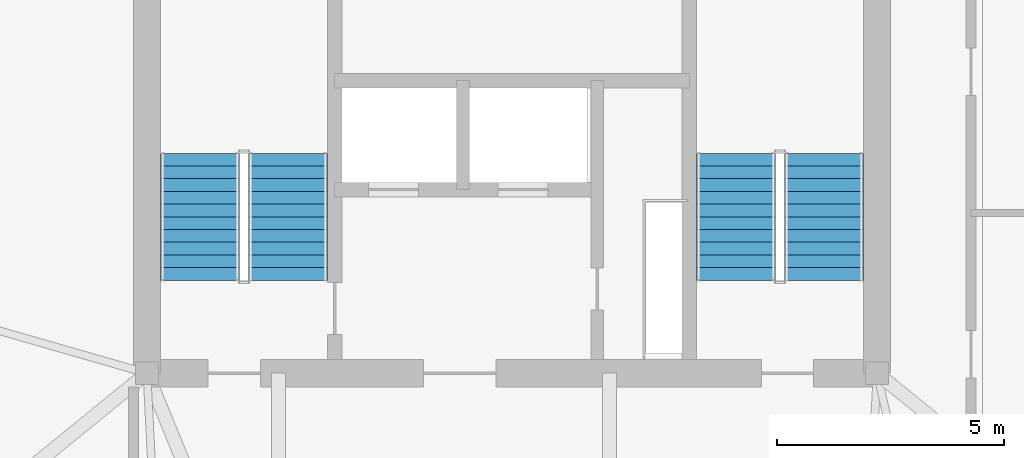
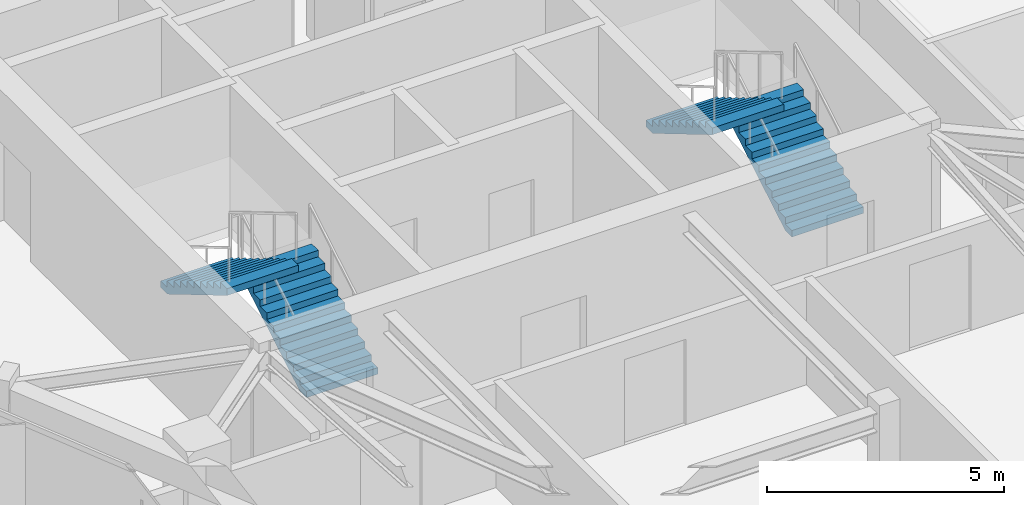
# One storey, part 8 of 9: 4 stair flights, 2 elements without a shape of their own.
"""IFC4 building model written with IfcOpenShell, lengths in metres."""

from ifc_helpers import new_model, si_unit, direction, frame, origin, place, context, subcontext, project, spatial, polyline, outline, extrude, material, type_object, element, aggregate, save


model = new_model("IFC4")

# Units and contexts
model_context = context("Model", 3, precision=1e-05, world=origin(), true_north=direction((0.0, 1.0)))
body_context = subcontext(model_context, "Body", "Model", "MODEL_VIEW")
ifc_project = project(units=[si_unit("LENGTHUNIT", "METRE"), si_unit("AREAUNIT", "SQUARE_METRE"), si_unit("VOLUMEUNIT", "CUBIC_METRE"), si_unit("PLANEANGLEUNIT", "RADIAN"), si_unit("MASSUNIT", "GRAM", prefix="KILO")], contexts=[model_context])

# Site, building, storey
site_placement = place(None, origin())
site = spatial("IfcSite", under=ifc_project, at=site_placement, CompositionType="ELEMENT")
building_placement = place(site_placement, origin())
building = spatial("IfcBuilding", under=site, at=building_placement, Name="Talyreon Biosciences Tower", CompositionType="ELEMENT")
storey_placement = place(building_placement, frame((0.0, 0.0, 302.050048828125)))
storey = spatial("IfcBuildingStorey", under=building, at=storey_placement, Name="L80", CompositionType="ELEMENT", Elevation=302.050048828125)

# Stair, stair flights
ifc_material = material(Name="Concrete C40/50", Category="concrete")
stair_type = type_object("IfcStairType", Name="DoglegEscapeStair_3650", PredefinedType="HALF_TURN_STAIR", material=ifc_material)
stair_1_placement = place(storey_placement, origin())
stair_1 = element("IfcStair", 1, at=stair_1_placement, inside=storey, type_object=stair_type, Name="L80 Core Escape Stair 1", PredefinedType="HALF_TURN_STAIR")
stair_flight_type = type_object("IfcStairFlightType", Name="PrecastStairFlight_3650", PredefinedType="STRAIGHT", material=ifc_material)
stair_flight_1_placement = place(storey_placement, frame((61.06005859375, 63.39990234375, 0.0), z_axis=(0.0, 0.0, 1.0), x_axis=(0.0, 1.0, 0.0)))
stair_flight_1 = element("IfcStairFlight", 2, at=stair_flight_1_placement, type_object=stair_flight_type, Name="ST-1 flight 1", NumberOfRisers=11, NumberOfTreads=10, PredefinedType="STRAIGHT", RiserHeight=0.165909091, TreadLength=0.28, context=body_context, shape_type="SweptSolid", body=[
    extrude(outline(polyline([(0.0, 0.0), (0.0, 0.166015625), (0.280029296875, 0.166015625), (0.280029296875, 0.331787109375), (0.56005859375, 0.331787109375), (0.56005859375, 0.497802734375), (0.840087890625, 0.497802734375), (0.840087890625, 0.66357421875), (1.1201171875, 0.66357421875), (1.1201171875, 0.82958984375), (1.39990234375, 0.82958984375), (1.39990234375, 0.995361328125), (1.679931640625, 0.995361328125), (1.679931640625, 1.161376953125), (1.9599609375, 1.161376953125), (1.9599609375, 1.327392578125), (2.239990234375, 1.327392578125), (2.239990234375, 1.4931640625), (2.52001953125, 1.4931640625), (2.52001953125, 1.6591796875), (2.800048828125, 1.6591796875), (2.800048828125, 1.824951171875), (2.800048828125, 1.48486328125), (0.2939453125, 0.0), (0.0, 0.0)])), frame((0.0, 0.8701171875, 0.0), z_axis=(0.0, -1.0, 0.0), x_axis=(1.0, 0.0, 0.0)), (0.0, 0.0, 1.0), 1.739990234375),
])
stair_flight_2_placement = place(storey_placement, frame((59.1201171875, 66.199951171875, 1.824951171875), z_axis=(0.0, 0.0, 1.0), x_axis=(0.0, -1.0, 0.0)))
stair_flight_2 = element("IfcStairFlight", 3, at=stair_flight_2_placement, type_object=stair_flight_type, Name="ST-1 flight 2", NumberOfRisers=11, NumberOfTreads=10, PredefinedType="STRAIGHT", RiserHeight=0.165909091, TreadLength=0.28, context=body_context, shape_type="SweptSolid", body=[
    extrude(outline(polyline([(0.0, 0.0), (0.0, 0.166015625), (0.280029296875, 0.166015625), (0.280029296875, 0.331787109375), (0.56005859375, 0.331787109375), (0.56005859375, 0.497802734375), (0.840087890625, 0.497802734375), (0.840087890625, 0.66357421875), (1.1201171875, 0.66357421875), (1.1201171875, 0.82958984375), (1.39990234375, 0.82958984375), (1.39990234375, 0.995361328125), (1.679931640625, 0.995361328125), (1.679931640625, 1.161376953125), (1.9599609375, 1.161376953125), (1.9599609375, 1.327392578125), (2.239990234375, 1.327392578125), (2.239990234375, 1.4931640625), (2.52001953125, 1.4931640625), (2.52001953125, 1.6591796875), (2.800048828125, 1.6591796875), (2.800048828125, 1.824951171875), (2.800048828125, 1.48486328125), (0.2939453125, 0.0), (0.0, 0.0)])), frame((0.0, 0.8701171875, 0.0), z_axis=(0.0, -1.0, 0.0), x_axis=(1.0, 0.0, 0.0)), (0.0, 0.0, 1.0), 1.739990234375),
])
aggregate(stair_1, [stair_flight_1, stair_flight_2])

stair_2_placement = place(storey_placement, origin())
stair_2 = element("IfcStair", 4, at=stair_2_placement, inside=storey, type_object=stair_type, Name="L80 Core Escape Stair 2", PredefinedType="HALF_TURN_STAIR")
stair_flight_3_placement = place(storey_placement, frame((72.8798828125, 63.39990234375, 0.0), z_axis=(0.0, 0.0, 1.0), x_axis=(0.0, 1.0, 0.0)))
stair_flight_3 = element("IfcStairFlight", 5, at=stair_flight_3_placement, type_object=stair_flight_type, Name="ST-2 flight 1", NumberOfRisers=11, NumberOfTreads=10, PredefinedType="STRAIGHT", RiserHeight=0.165909091, TreadLength=0.28, context=body_context, shape_type="SweptSolid", body=[
    extrude(outline(polyline([(0.0, 0.0), (0.0, 0.166015625), (0.280029296875, 0.166015625), (0.280029296875, 0.331787109375), (0.56005859375, 0.331787109375), (0.56005859375, 0.497802734375), (0.840087890625, 0.497802734375), (0.840087890625, 0.66357421875), (1.1201171875, 0.66357421875), (1.1201171875, 0.82958984375), (1.39990234375, 0.82958984375), (1.39990234375, 0.995361328125), (1.679931640625, 0.995361328125), (1.679931640625, 1.161376953125), (1.9599609375, 1.161376953125), (1.9599609375, 1.327392578125), (2.239990234375, 1.327392578125), (2.239990234375, 1.4931640625), (2.52001953125, 1.4931640625), (2.52001953125, 1.6591796875), (2.800048828125, 1.6591796875), (2.800048828125, 1.824951171875), (2.800048828125, 1.48486328125), (0.2939453125, 0.0), (0.0, 0.0)])), frame((0.0, 0.8701171875, 0.0), z_axis=(0.0, -1.0, 0.0), x_axis=(1.0, 0.0, 0.0)), (0.0, 0.0, 1.0), 1.739990234375),
])
stair_flight_4_placement = place(storey_placement, frame((70.93994140625, 66.199951171875, 1.824951171875), z_axis=(0.0, 0.0, 1.0), x_axis=(0.0, -1.0, 0.0)))
stair_flight_4 = element("IfcStairFlight", 6, at=stair_flight_4_placement, type_object=stair_flight_type, Name="ST-2 flight 2", NumberOfRisers=11, NumberOfTreads=10, PredefinedType="STRAIGHT", RiserHeight=0.165909091, TreadLength=0.28, context=body_context, shape_type="SweptSolid", body=[
    extrude(outline(polyline([(0.0, 0.0), (0.0, 0.166015625), (0.280029296875, 0.166015625), (0.280029296875, 0.331787109375), (0.56005859375, 0.331787109375), (0.56005859375, 0.497802734375), (0.840087890625, 0.497802734375), (0.840087890625, 0.66357421875), (1.1201171875, 0.66357421875), (1.1201171875, 0.82958984375), (1.39990234375, 0.82958984375), (1.39990234375, 0.995361328125), (1.679931640625, 0.995361328125), (1.679931640625, 1.161376953125), (1.9599609375, 1.161376953125), (1.9599609375, 1.327392578125), (2.239990234375, 1.327392578125), (2.239990234375, 1.4931640625), (2.52001953125, 1.4931640625), (2.52001953125, 1.6591796875), (2.800048828125, 1.6591796875), (2.800048828125, 1.824951171875), (2.800048828125, 1.48486328125), (0.2939453125, 0.0), (0.0, 0.0)])), frame((0.0, 0.8701171875, 0.0), z_axis=(0.0, -1.0, 0.0), x_axis=(1.0, 0.0, 0.0)), (0.0, 0.0, 1.0), 1.739990234375),
])
aggregate(stair_2, [stair_flight_3, stair_flight_4])

save(model, "model.ifc")
